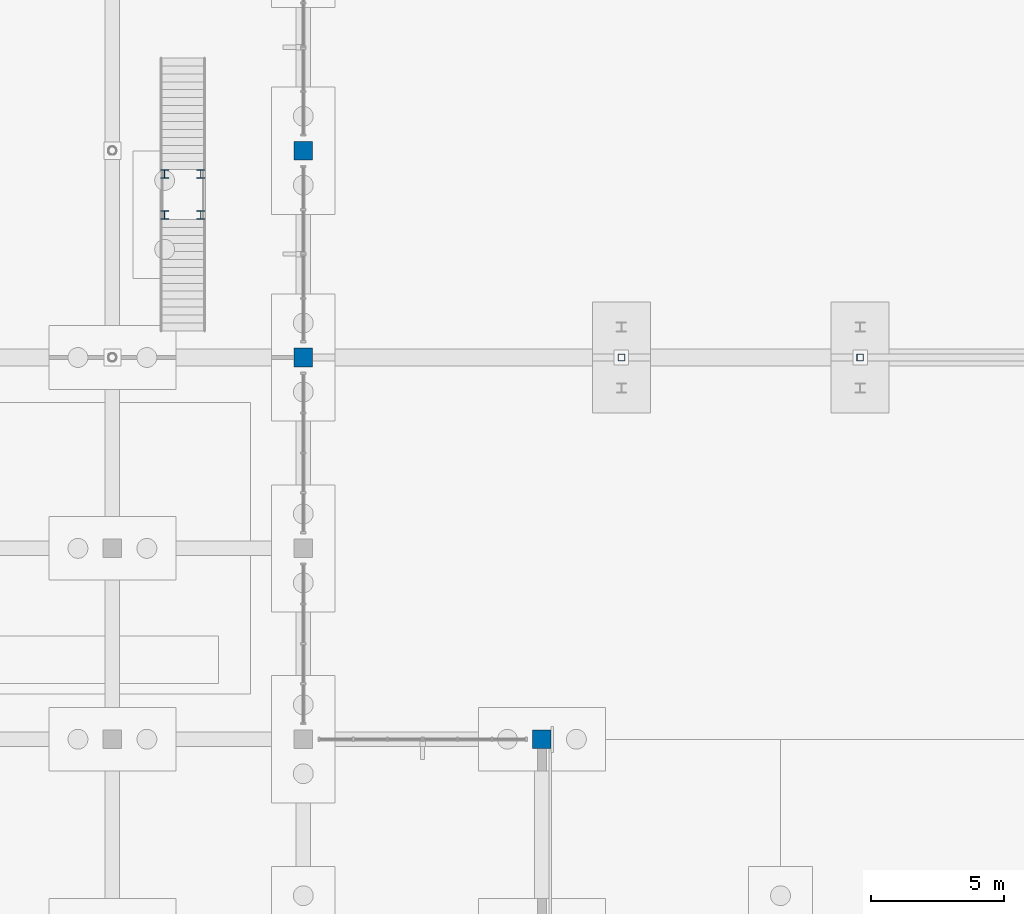
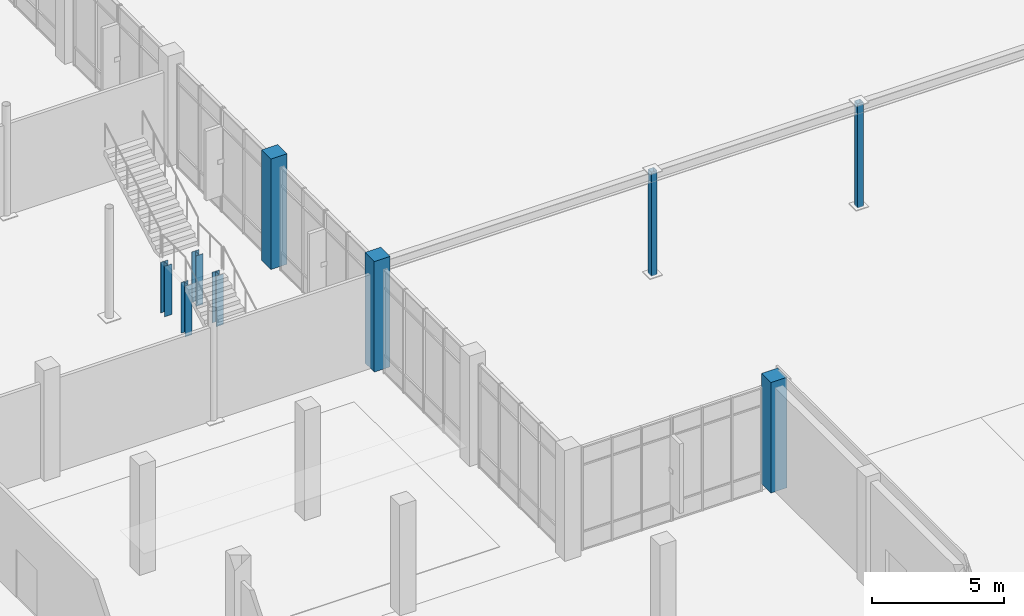
# One storey, part 19 of 94: 9 columns.
"""IFC4 building model written with IfcOpenShell, lengths in metres."""

from ifc_helpers import new_model, si_unit, direction, frame, origin, origin_2d, place, context, subcontext, project, spatial, rectangle, hollow_rectangle, i_section, extrude, material, material_profile, profile_set, type_object, element, save


model = new_model("IFC4")

# Units and contexts
model_context = context("Model", 3, precision=1e-05, world=origin(), true_north=direction((0.0, 1.0)))
body_context = subcontext(model_context, "Body", "Model", "MODEL_VIEW")
ifc_project = project(units=[si_unit("LENGTHUNIT", "METRE"), si_unit("AREAUNIT", "SQUARE_METRE"), si_unit("VOLUMEUNIT", "CUBIC_METRE"), si_unit("PLANEANGLEUNIT", "RADIAN"), si_unit("MASSUNIT", "GRAM", prefix="KILO")], contexts=[model_context])

# Site, building, storey
site_placement = place(None, origin())
site = spatial("IfcSite", under=ifc_project, at=site_placement, CompositionType="ELEMENT")
building_placement = place(site_placement, origin())
building = spatial("IfcBuilding", under=site, at=building_placement, Name="Vervanel Yard Central Library", CompositionType="ELEMENT")
storey_placement = place(building_placement, origin())
storey = spatial("IfcBuildingStorey", under=building, at=storey_placement, Name="L00", CompositionType="ELEMENT", Elevation=0.0)

# Columns
ifc_material_1 = material(Name="Concrete C40/50", Category="concrete")
ifc_material_profile_1 = material_profile(ifc_material_1, rectangle(XDim=0.699951171875, YDim=0.699951171875, at=origin_2d()), Name="RC 700x700", Category="concrete")
ifc_profile_set_1 = profile_set([ifc_material_profile_1], Name="Concrete C40/50")
column_type_1 = type_object("IfcColumnType", Name="Concrete Column 700x700", PredefinedType="COLUMN", material=ifc_profile_set_1)
for number, where, z_axis, x_axis, name in (
    (1, (36.0, 43.199951171875, 0.0), (0.0, 0.0, 1.0), (1.0, 0.0, 0.0), "L00 Concrete Column 700x700 (36.0, 43.2)"),
    (2, (36.0, 51.0, 0.0), (0.0, 0.0, 1.0), (1.0, 0.0, 0.0), "L00 Concrete Column 700x700 (36.0, 51.0)"),
    (3, (45.0, 28.800048828125, 0.0), (0.0, 0.0, 1.0), (1.0, 0.0, 0.0), "L00 Concrete Column 700x700 (45.0, 28.8)"),
):
    element("IfcColumn", number, at=place(storey_placement, frame(where, z_axis=z_axis, x_axis=x_axis)), inside=storey, type_object=column_type_1, Name=name, PredefinedType="COLUMN", context=body_context, shape_type="SweptSolid", body=[
        extrude(rectangle(XDim=0.699951171875, YDim=0.699951171875, at=origin_2d()), origin(), (0.0, 0.0, 1.0), 5.10009765625),
    ])
ifc_material_2 = material(Name="Steel ASTM A500 Grade C", Category="steel")
ifc_material_profile_2 = material_profile(ifc_material_2, hollow_rectangle(XDim=0.25390625, YDim=0.25390625, WallThickness=0.01171875, at=origin_2d()), Name="HSS10X10X1/2", Category="steel")
ifc_profile_set_2 = profile_set([ifc_material_profile_2], Name="Steel ASTM A500 Grade C")
column_type_2 = type_object("IfcColumnType", Name="Steel Column HSS10X10X1/2", PredefinedType="COLUMN", material=ifc_profile_set_2)
for number, where, z_axis, x_axis, name in (
    (4, (48.0, 43.199951171875, 0.0), (0.0, 0.0, 1.0), (1.0, 0.0, 0.0), "L00 Steel Support Post SC-12 (48.0, 43.2)"),
    (5, (57.0, 43.199951171875, 0.0), (0.0, 0.0, 1.0), (1.0, 0.0, 0.0), "L00 Steel Support Post SC-12 (57.0, 43.2)"),
):
    element("IfcColumn", number, at=place(storey_placement, frame(where, z_axis=z_axis, x_axis=x_axis)), inside=storey, type_object=column_type_2, Name=name, PredefinedType="COLUMN", context=body_context, shape_type="SweptSolid", body=[
        extrude(hollow_rectangle(XDim=0.25390625, YDim=0.25390625, WallThickness=0.01171875, at=origin_2d()), origin(), (0.0, 0.0, 1.0), 4.800048828125),
    ])
ifc_material_3 = material(Name="Steel ASTM A992 Grade 50", Category="steel")
ifc_material_profile_3 = material_profile(ifc_material_3, i_section(OverallWidth=0.307373046875, OverallDepth=0.31494140625, WebThickness=0.011962890625, FlangeThickness=0.0185546875, at=origin_2d()), Name="W12X79", Category="steel")
ifc_profile_set_3 = profile_set([ifc_material_profile_3], Name="Steel ASTM A992 Grade 50")
column_type_3 = type_object("IfcColumnType", Name="Steel Column W12X79", PredefinedType="COLUMN", material=ifc_profile_set_3)
for number, where, z_axis, x_axis, name in (
    (6, (30.77001953125, 48.580078125, 0.0), (0.0, 0.0, 1.0), (1.0, 0.0, 0.0), "L00 Feature Stair FS-ST-05 Landing Post 9"),
    (7, (32.1298828125, 48.580078125, 0.0), (0.0, 0.0, 1.0), (1.0, 0.0, 0.0), "L00 Feature Stair FS-ST-05 Landing Post 10"),
    (8, (30.77001953125, 50.1201171875, 0.0), (0.0, 0.0, 1.0), (1.0, 0.0, 0.0), "L00 Feature Stair FS-ST-05 Landing Post 11"),
    (9, (32.1298828125, 50.1201171875, 0.0), (0.0, 0.0, 1.0), (1.0, 0.0, 0.0), "L00 Feature Stair FS-ST-05 Landing Post 12"),
):
    element("IfcColumn", number, at=place(storey_placement, frame(where, z_axis=z_axis, x_axis=x_axis)), inside=storey, type_object=column_type_3, Name=name, PredefinedType="COLUMN", context=body_context, shape_type="SweptSolid", body=[
        extrude(i_section(OverallWidth=0.307373046875, OverallDepth=0.31494140625, WebThickness=0.011962890625, FlangeThickness=0.0185546875, at=origin_2d()), origin(), (0.0, 0.0, 1.0), 2.330078125),
    ])

save(model, "model.ifc")
